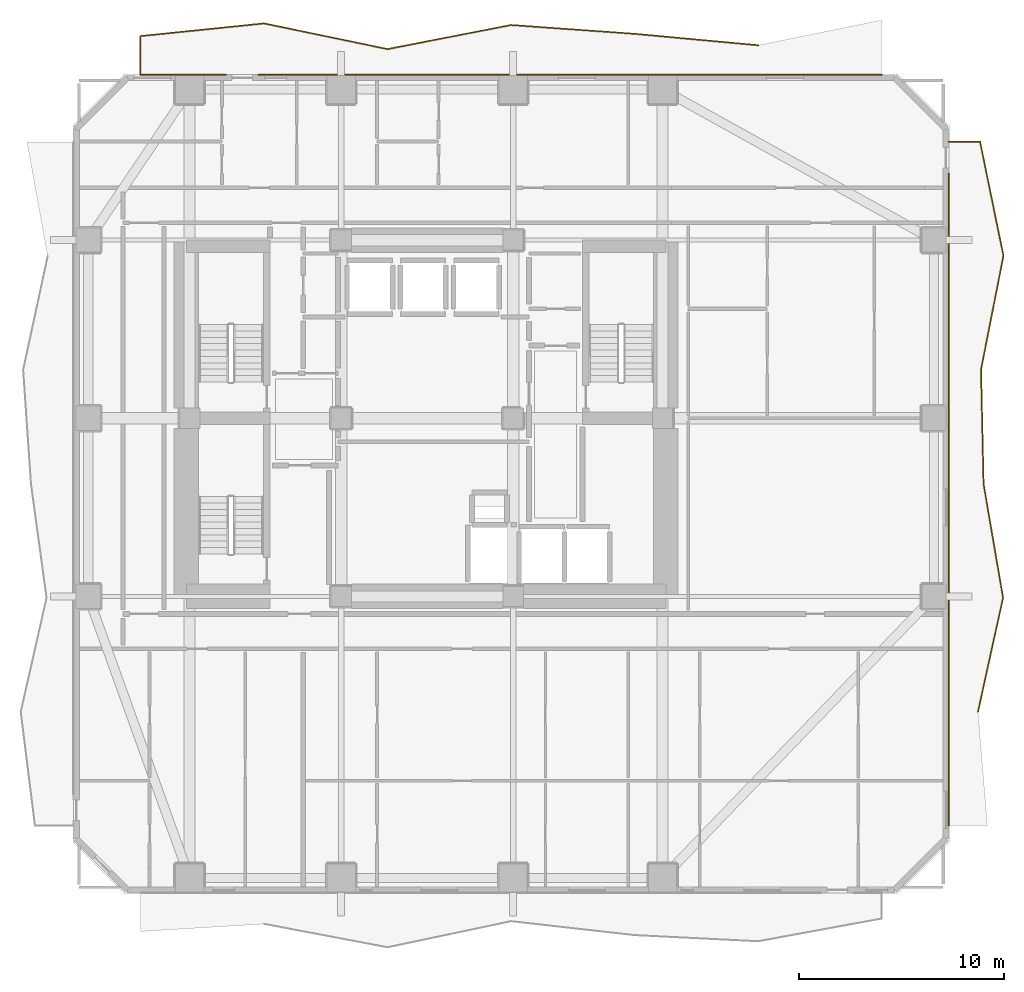
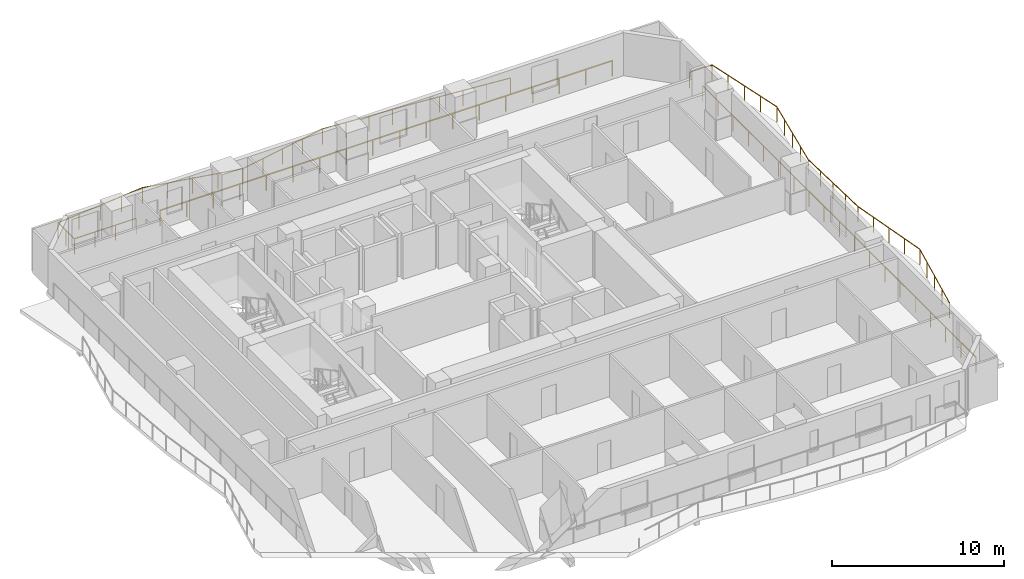
# One storey, part 10 of 10: 4 railings.
"""IFC4 building model written with IfcOpenShell, lengths in metres."""

from ifc_helpers import new_model, si_unit, direction, frame, origin, origin_2d, place, context, subcontext, project, spatial, rectangle, extrude, material, type_object, element, save


model = new_model("IFC4")

# Units and contexts
model_context = context("Model", 3, precision=1e-05, world=origin(), true_north=direction((0.0, 1.0)))
body_context = subcontext(model_context, "Body", "Model", "MODEL_VIEW")
ifc_project = project(units=[si_unit("LENGTHUNIT", "METRE"), si_unit("AREAUNIT", "SQUARE_METRE"), si_unit("VOLUMEUNIT", "CUBIC_METRE"), si_unit("PLANEANGLEUNIT", "RADIAN"), si_unit("MASSUNIT", "GRAM", prefix="KILO")], contexts=[model_context])

# Site, building, storey
site_placement = place(None, origin())
site = spatial("IfcSite", under=ifc_project, at=site_placement, CompositionType="ELEMENT")
building_placement = place(site_placement, origin())
building = spatial("IfcBuilding", under=site, at=building_placement, Name="Solanera Arch Residences", CompositionType="ELEMENT")
storey_placement = place(building_placement, frame((0.0, 0.0, 48.56005859375)))
storey = spatial("IfcBuildingStorey", under=building, at=storey_placement, Name="L13", CompositionType="ELEMENT", Elevation=48.56005859375)

# Railings
ifc_material = material(Name="Steel S355 (ASTM A992 / A572 Grade 50)", Category="steel")
railing_type = type_object("IfcRailingType", Name="Balustrade Railing BL-1100", PredefinedType="BALUSTRADE", material=ifc_material)
railing_1_placement = place(storey_placement, frame((41.1669921875, 48.9189453125, 0.0)))
element("IfcRailing", 1, at=railing_1_placement, inside=storey, type_object=railing_type, Name="L13 N Balcony Balustrade 1", PredefinedType="BALUSTRADE", context=body_context, shape_type="SweptSolid", body=[
    extrude(rectangle(XDim=0.048095703125, YDim=0.048095703125, at=origin_2d()), frame((0.0, 0.0, 1.09619140625), z_axis=(-0.995749642302, 0.092101302136, 0.0), x_axis=(-0.092101302136, -0.995749642302, 0.0)), (0.0, 0.0, 1.0), 6.0595703125),
    extrude(rectangle(XDim=0.048095703125, YDim=0.048095703125, at=origin_2d()), frame((-6.033935546875, 0.55810546875, 1.09619140625), z_axis=(-0.997458904725, 0.071244181411, 0.0), x_axis=(-0.071244181411, -0.997458904725, 0.0)), (0.0, 0.0, 1.0), 6.04833984375),
    extrude(rectangle(XDim=0.048095703125, YDim=0.048095703125, at=origin_2d()), frame((-12.06689453125, 0.989013671875, 1.09619140625), z_axis=(-0.981526810594, -0.191324645785, 0.0), x_axis=(0.191324645785, -0.981526810594, 0.0)), (0.0, 0.0, 1.0), 6.146728515625),
    extrude(rectangle(XDim=0.048095703125, YDim=0.048095703125, at=origin_2d()), frame((-18.10009765625, -0.18701171875, 1.09619140625), z_axis=(-0.979074901737, 0.20350021324, 0.0), x_axis=(-0.20350021324, -0.979074901737, 0.0)), (0.0, 0.0, 1.0), 6.162841796875),
    extrude(rectangle(XDim=0.048095703125, YDim=0.048095703125, at=origin_2d()), frame((-24.134033203125, 1.067138671875, 1.09619140625), z_axis=(-0.994758785041, -0.102249496742, 0.0), x_axis=(0.102249496742, -0.994758785041, 0.0)), (0.0, 0.0, 1.0), 6.064697265625),
    extrude(rectangle(XDim=0.048095703125, YDim=0.048095703125, at=origin_2d()), frame((-30.1669921875, 0.447021484375, 1.09619140625), z_axis=(0.0, -1.0, 0.0), x_axis=(1.0, 0.0, 0.0)), (0.0, 0.0, 1.0), 1.885986328125),
    extrude(rectangle(XDim=0.048095703125, YDim=0.048095703125, at=origin_2d()), frame((-30.1669921875, -1.43896484375, 1.09619140625), z_axis=(1.0, 0.0, 0.0), x_axis=(0.0, 1.0, 0.0)), (0.0, 0.0, 1.0), 4.16796875),
    extrude(rectangle(XDim=0.0419921875, YDim=0.0419921875, at=origin_2d()), origin(), (0.0, 0.0, 1.0), 1.072021484375),
    extrude(rectangle(XDim=0.0419921875, YDim=0.0419921875, at=origin_2d()), frame((-1.508544921875, 0.1396484375, 0.0)), (0.0, 0.0, 1.0), 1.072021484375),
    extrude(rectangle(XDim=0.0419921875, YDim=0.0419921875, at=origin_2d()), frame((-3.01708984375, 0.279052734375, 0.0)), (0.0, 0.0, 1.0), 1.072021484375),
    extrude(rectangle(XDim=0.0419921875, YDim=0.0419921875, at=origin_2d()), frame((-4.525390625, 0.41845703125, 0.0)), (0.0, 0.0, 1.0), 1.072021484375),
    extrude(rectangle(XDim=0.0419921875, YDim=0.0419921875, at=origin_2d()), frame((-6.033935546875, 0.55810546875, 0.0)), (0.0, 0.0, 1.0), 1.072021484375),
    extrude(rectangle(XDim=0.0419921875, YDim=0.0419921875, at=origin_2d()), frame((-7.542236328125, 0.665771484375, 0.0)), (0.0, 0.0, 1.0), 1.072021484375),
    extrude(rectangle(XDim=0.0419921875, YDim=0.0419921875, at=origin_2d()), frame((-9.05029296875, 0.7734375, 0.0)), (0.0, 0.0, 1.0), 1.072021484375),
    extrude(rectangle(XDim=0.0419921875, YDim=0.0419921875, at=origin_2d()), frame((-10.55859375, 0.88134765625, 0.0)), (0.0, 0.0, 1.0), 1.072021484375),
    extrude(rectangle(XDim=0.0419921875, YDim=0.0419921875, at=origin_2d()), frame((-12.06689453125, 0.989013671875, 0.0)), (0.0, 0.0, 1.0), 1.072021484375),
    extrude(rectangle(XDim=0.0419921875, YDim=0.0419921875, at=origin_2d()), frame((-13.5751953125, 0.695068359375, 0.0)), (0.0, 0.0, 1.0), 1.072021484375),
    extrude(rectangle(XDim=0.0419921875, YDim=0.0419921875, at=origin_2d()), frame((-15.08349609375, 0.40087890625, 0.0)), (0.0, 0.0, 1.0), 1.072021484375),
    extrude(rectangle(XDim=0.0419921875, YDim=0.0419921875, at=origin_2d()), frame((-16.591796875, 0.10693359375, 0.0)), (0.0, 0.0, 1.0), 1.072021484375),
    extrude(rectangle(XDim=0.0419921875, YDim=0.0419921875, at=origin_2d()), frame((-18.10009765625, -0.18701171875, 0.0)), (0.0, 0.0, 1.0), 1.072021484375),
    extrude(rectangle(XDim=0.0419921875, YDim=0.0419921875, at=origin_2d()), frame((-19.608642578125, 0.12646484375, 0.0)), (0.0, 0.0, 1.0), 1.072021484375),
    extrude(rectangle(XDim=0.0419921875, YDim=0.0419921875, at=origin_2d()), frame((-21.1171875, 0.43994140625, 0.0)), (0.0, 0.0, 1.0), 1.072021484375),
    extrude(rectangle(XDim=0.0419921875, YDim=0.0419921875, at=origin_2d()), frame((-22.62548828125, 0.753662109375, 0.0)), (0.0, 0.0, 1.0), 1.072021484375),
    extrude(rectangle(XDim=0.0419921875, YDim=0.0419921875, at=origin_2d()), frame((-24.134033203125, 1.067138671875, 0.0)), (0.0, 0.0, 1.0), 1.072021484375),
    extrude(rectangle(XDim=0.0419921875, YDim=0.0419921875, at=origin_2d()), frame((-25.642333984375, 0.912109375, 0.0)), (0.0, 0.0, 1.0), 1.072021484375),
    extrude(rectangle(XDim=0.0419921875, YDim=0.0419921875, at=origin_2d()), frame((-27.150390625, 0.757080078125, 0.0)), (0.0, 0.0, 1.0), 1.072021484375),
    extrude(rectangle(XDim=0.0419921875, YDim=0.0419921875, at=origin_2d()), frame((-28.65869140625, 0.60205078125, 0.0)), (0.0, 0.0, 1.0), 1.072021484375),
    extrude(rectangle(XDim=0.0419921875, YDim=0.0419921875, at=origin_2d()), frame((-30.1669921875, 0.447021484375, 0.0)), (0.0, 0.0, 1.0), 1.072021484375),
    extrude(rectangle(XDim=0.0419921875, YDim=0.0419921875, at=origin_2d()), frame((-30.1669921875, -0.49609375, 0.0)), (0.0, 0.0, 1.0), 1.072021484375),
    extrude(rectangle(XDim=0.0419921875, YDim=0.0419921875, at=origin_2d()), frame((-30.1669921875, -1.43896484375, 0.0)), (0.0, 0.0, 1.0), 1.072021484375),
    extrude(rectangle(XDim=0.0419921875, YDim=0.0419921875, at=origin_2d()), frame((-28.777587890625, -1.43896484375, 0.0)), (0.0, 0.0, 1.0), 1.072021484375),
    extrude(rectangle(XDim=0.0419921875, YDim=0.0419921875, at=origin_2d()), frame((-27.388427734375, -1.43896484375, 0.0)), (0.0, 0.0, 1.0), 1.072021484375),
    extrude(rectangle(XDim=0.0419921875, YDim=0.0419921875, at=origin_2d()), frame((-25.9990234375, -1.43896484375, 0.0)), (0.0, 0.0, 1.0), 1.072021484375),
])
railing_2_placement = place(storey_placement, frame((16.76806640625, 47.47998046875, 0.0)))
element("IfcRailing", 2, at=railing_2_placement, inside=storey, type_object=railing_type, Name="L13 N Balcony Balustrade 2", PredefinedType="BALUSTRADE", context=body_context, shape_type="SweptSolid", body=[
    extrude(rectangle(XDim=0.048095703125, YDim=0.048095703125, at=origin_2d()), frame((0.0, 0.0, 1.09619140625), z_axis=(1.0, 0.0, 0.0), x_axis=(0.0, 1.0, 0.0)), (0.0, 0.0, 1.0), 30.431884765625),
    extrude(rectangle(XDim=0.0419921875, YDim=0.0419921875, at=origin_2d()), origin(), (0.0, 0.0, 1.0), 1.072021484375),
    extrude(rectangle(XDim=0.0419921875, YDim=0.0419921875, at=origin_2d()), frame((1.7900390625, 0.0, 0.0)), (0.0, 0.0, 1.0), 1.072021484375),
    extrude(rectangle(XDim=0.0419921875, YDim=0.0419921875, at=origin_2d()), frame((3.580322265625, 0.0, 0.0)), (0.0, 0.0, 1.0), 1.072021484375),
    extrude(rectangle(XDim=0.0419921875, YDim=0.0419921875, at=origin_2d()), frame((5.370361328125, 0.0, 0.0)), (0.0, 0.0, 1.0), 1.072021484375),
    extrude(rectangle(XDim=0.0419921875, YDim=0.0419921875, at=origin_2d()), frame((7.160400390625, 0.0, 0.0)), (0.0, 0.0, 1.0), 1.072021484375),
    extrude(rectangle(XDim=0.0419921875, YDim=0.0419921875, at=origin_2d()), frame((8.950439453125, 0.0, 0.0)), (0.0, 0.0, 1.0), 1.072021484375),
    extrude(rectangle(XDim=0.0419921875, YDim=0.0419921875, at=origin_2d()), frame((10.74072265625, 0.0, 0.0)), (0.0, 0.0, 1.0), 1.072021484375),
    extrude(rectangle(XDim=0.0419921875, YDim=0.0419921875, at=origin_2d()), frame((12.53076171875, 0.0, 0.0)), (0.0, 0.0, 1.0), 1.072021484375),
    extrude(rectangle(XDim=0.0419921875, YDim=0.0419921875, at=origin_2d()), frame((14.32080078125, 0.0, 0.0)), (0.0, 0.0, 1.0), 1.072021484375),
    extrude(rectangle(XDim=0.0419921875, YDim=0.0419921875, at=origin_2d()), frame((16.111083984375, 0.0, 0.0)), (0.0, 0.0, 1.0), 1.072021484375),
    extrude(rectangle(XDim=0.0419921875, YDim=0.0419921875, at=origin_2d()), frame((17.901123046875, 0.0, 0.0)), (0.0, 0.0, 1.0), 1.072021484375),
    extrude(rectangle(XDim=0.0419921875, YDim=0.0419921875, at=origin_2d()), frame((19.691162109375, 0.0, 0.0)), (0.0, 0.0, 1.0), 1.072021484375),
    extrude(rectangle(XDim=0.0419921875, YDim=0.0419921875, at=origin_2d()), frame((21.4814453125, 0.0, 0.0)), (0.0, 0.0, 1.0), 1.072021484375),
    extrude(rectangle(XDim=0.0419921875, YDim=0.0419921875, at=origin_2d()), frame((23.271484375, 0.0, 0.0)), (0.0, 0.0, 1.0), 1.072021484375),
    extrude(rectangle(XDim=0.0419921875, YDim=0.0419921875, at=origin_2d()), frame((25.0615234375, 0.0, 0.0)), (0.0, 0.0, 1.0), 1.072021484375),
    extrude(rectangle(XDim=0.0419921875, YDim=0.0419921875, at=origin_2d()), frame((26.8515625, 0.0, 0.0)), (0.0, 0.0, 1.0), 1.072021484375),
    extrude(rectangle(XDim=0.0419921875, YDim=0.0419921875, at=origin_2d()), frame((28.641845703125, 0.0, 0.0)), (0.0, 0.0, 1.0), 1.072021484375),
    extrude(rectangle(XDim=0.0419921875, YDim=0.0419921875, at=origin_2d()), frame((30.431884765625, 0.0, 0.0)), (0.0, 0.0, 1.0), 1.072021484375),
])
railing_3_placement = place(storey_placement, frame((51.906005859375, 16.366943359375, 0.0)))
element("IfcRailing", 3, at=railing_3_placement, inside=storey, type_object=railing_type, Name="L13 E Balcony Balustrade 1", PredefinedType="BALUSTRADE", context=body_context, shape_type="SweptSolid", body=[
    extrude(rectangle(XDim=0.048095703125, YDim=0.048095703125, at=origin_2d()), frame((0.0, 0.0, 1.09619140625), z_axis=(0.21474818874, 0.976669450445, 0.0), x_axis=(-0.976669450445, 0.21474818874, 0.0)), (0.0, 0.0, 1.0), 5.69921875),
    extrude(rectangle(XDim=0.048095703125, YDim=0.048095703125, at=origin_2d()), frame((1.223876953125, 5.566162109375, 1.09619140625), z_axis=(-0.168715450915, 0.985664799322, 0.0), x_axis=(-0.985664799322, -0.168715450915, 0.0)), (0.0, 0.0, 1.0), 5.64794921875),
    extrude(rectangle(XDim=0.048095703125, YDim=0.048095703125, at=origin_2d()), frame((0.27099609375, 11.133056640625, 1.09619140625), z_axis=(-0.02227322059, 0.999751921051, 0.0), x_axis=(-0.999751921051, -0.02227322059, 0.0)), (0.0, 0.0, 1.0), 5.568359375),
    extrude(rectangle(XDim=0.048095703125, YDim=0.048095703125, at=origin_2d()), frame((0.14697265625, 16.699951171875, 1.09619140625), z_axis=(0.193185547705, 0.981162241506, 0.0), x_axis=(-0.981162241506, 0.193185547705, 0.0)), (0.0, 0.0, 1.0), 5.673095703125),
    extrude(rectangle(XDim=0.048095703125, YDim=0.048095703125, at=origin_2d()), frame((1.242919921875, 22.26611328125, 1.09619140625), z_axis=(-0.200765485321, 0.979639331542, 0.0), x_axis=(-0.979639331542, -0.200765485321, 0.0)), (0.0, 0.0, 1.0), 5.6826171875),
    extrude(rectangle(XDim=0.048095703125, YDim=0.048095703125, at=origin_2d()), frame((0.10205078125, 27.8330078125, 1.09619140625), z_axis=(-1.0, 0.0, 0.0), x_axis=(0.0, -1.0, 0.0)), (0.0, 0.0, 1.0), 1.528076171875),
    extrude(rectangle(XDim=0.0419921875, YDim=0.0419921875, at=origin_2d()), origin(), (0.0, 0.0, 1.0), 1.072021484375),
    extrude(rectangle(XDim=0.0419921875, YDim=0.0419921875, at=origin_2d()), frame((0.305908203125, 1.3916015625, 0.0)), (0.0, 0.0, 1.0), 1.072021484375),
    extrude(rectangle(XDim=0.0419921875, YDim=0.0419921875, at=origin_2d()), frame((0.61181640625, 2.783203125, 0.0)), (0.0, 0.0, 1.0), 1.072021484375),
    extrude(rectangle(XDim=0.0419921875, YDim=0.0419921875, at=origin_2d()), frame((0.91796875, 4.174560546875, 0.0)), (0.0, 0.0, 1.0), 1.072021484375),
    extrude(rectangle(XDim=0.0419921875, YDim=0.0419921875, at=origin_2d()), frame((1.223876953125, 5.566162109375, 0.0)), (0.0, 0.0, 1.0), 1.072021484375),
    extrude(rectangle(XDim=0.0419921875, YDim=0.0419921875, at=origin_2d()), frame((0.985595703125, 6.9580078125, 0.0)), (0.0, 0.0, 1.0), 1.072021484375),
    extrude(rectangle(XDim=0.0419921875, YDim=0.0419921875, at=origin_2d()), frame((0.74755859375, 8.349609375, 0.0)), (0.0, 0.0, 1.0), 1.072021484375),
    extrude(rectangle(XDim=0.0419921875, YDim=0.0419921875, at=origin_2d()), frame((0.50927734375, 9.7412109375, 0.0)), (0.0, 0.0, 1.0), 1.072021484375),
    extrude(rectangle(XDim=0.0419921875, YDim=0.0419921875, at=origin_2d()), frame((0.27099609375, 11.133056640625, 0.0)), (0.0, 0.0, 1.0), 1.072021484375),
    extrude(rectangle(XDim=0.0419921875, YDim=0.0419921875, at=origin_2d()), frame((0.239990234375, 12.52490234375, 0.0)), (0.0, 0.0, 1.0), 1.072021484375),
    extrude(rectangle(XDim=0.0419921875, YDim=0.0419921875, at=origin_2d()), frame((0.208984375, 13.91650390625, 0.0)), (0.0, 0.0, 1.0), 1.072021484375),
    extrude(rectangle(XDim=0.0419921875, YDim=0.0419921875, at=origin_2d()), frame((0.177978515625, 15.30810546875, 0.0)), (0.0, 0.0, 1.0), 1.072021484375),
    extrude(rectangle(XDim=0.0419921875, YDim=0.0419921875, at=origin_2d()), frame((0.14697265625, 16.699951171875, 0.0)), (0.0, 0.0, 1.0), 1.072021484375),
    extrude(rectangle(XDim=0.0419921875, YDim=0.0419921875, at=origin_2d()), frame((0.4208984375, 18.091552734375, 0.0)), (0.0, 0.0, 1.0), 1.072021484375),
    extrude(rectangle(XDim=0.0419921875, YDim=0.0419921875, at=origin_2d()), frame((0.69482421875, 19.48291015625, 0.0)), (0.0, 0.0, 1.0), 1.072021484375),
    extrude(rectangle(XDim=0.0419921875, YDim=0.0419921875, at=origin_2d()), frame((0.968994140625, 20.87451171875, 0.0)), (0.0, 0.0, 1.0), 1.072021484375),
    extrude(rectangle(XDim=0.0419921875, YDim=0.0419921875, at=origin_2d()), frame((1.242919921875, 22.26611328125, 0.0)), (0.0, 0.0, 1.0), 1.072021484375),
    extrude(rectangle(XDim=0.0419921875, YDim=0.0419921875, at=origin_2d()), frame((0.957763671875, 23.65771484375, 0.0)), (0.0, 0.0, 1.0), 1.072021484375),
    extrude(rectangle(XDim=0.0419921875, YDim=0.0419921875, at=origin_2d()), frame((0.67236328125, 25.049560546875, 0.0)), (0.0, 0.0, 1.0), 1.072021484375),
    extrude(rectangle(XDim=0.0419921875, YDim=0.0419921875, at=origin_2d()), frame((0.38720703125, 26.44140625, 0.0)), (0.0, 0.0, 1.0), 1.072021484375),
    extrude(rectangle(XDim=0.0419921875, YDim=0.0419921875, at=origin_2d()), frame((0.10205078125, 27.8330078125, 0.0)), (0.0, 0.0, 1.0), 1.072021484375),
    extrude(rectangle(XDim=0.0419921875, YDim=0.0419921875, at=origin_2d()), frame((-1.426025390625, 27.8330078125, 0.0)), (0.0, 0.0, 1.0), 1.072021484375),
])
railing_4_placement = place(storey_placement, frame((50.47998046875, 42.634033203125, 0.0)))
element("IfcRailing", 4, at=railing_4_placement, inside=storey, type_object=railing_type, Name="L13 E Balcony Balustrade 2", PredefinedType="BALUSTRADE", context=body_context, shape_type="SweptSolid", body=[
    extrude(rectangle(XDim=0.048095703125, YDim=0.048095703125, at=origin_2d()), frame((0.0, 0.0, 1.09619140625), z_axis=(0.0, -1.0, 0.0), x_axis=(1.0, 0.0, 0.0)), (0.0, 0.0, 1.0), 31.833984375),
    extrude(rectangle(XDim=0.0419921875, YDim=0.0419921875, at=origin_2d()), origin(), (0.0, 0.0, 1.0), 1.072021484375),
    extrude(rectangle(XDim=0.0419921875, YDim=0.0419921875, at=origin_2d()), frame((0.0, -1.7685546875, 0.0)), (0.0, 0.0, 1.0), 1.072021484375),
    extrude(rectangle(XDim=0.0419921875, YDim=0.0419921875, at=origin_2d()), frame((0.0, -3.537109375, 0.0)), (0.0, 0.0, 1.0), 1.072021484375),
    extrude(rectangle(XDim=0.0419921875, YDim=0.0419921875, at=origin_2d()), frame((0.0, -5.3056640625, 0.0)), (0.0, 0.0, 1.0), 1.072021484375),
    extrude(rectangle(XDim=0.0419921875, YDim=0.0419921875, at=origin_2d()), frame((0.0, -7.07421875, 0.0)), (0.0, 0.0, 1.0), 1.072021484375),
    extrude(rectangle(XDim=0.0419921875, YDim=0.0419921875, at=origin_2d()), frame((0.0, -8.8427734375, 0.0)), (0.0, 0.0, 1.0), 1.072021484375),
    extrude(rectangle(XDim=0.0419921875, YDim=0.0419921875, at=origin_2d()), frame((0.0, -10.611328125, 0.0)), (0.0, 0.0, 1.0), 1.072021484375),
    extrude(rectangle(XDim=0.0419921875, YDim=0.0419921875, at=origin_2d()), frame((0.0, -12.3798828125, 0.0)), (0.0, 0.0, 1.0), 1.072021484375),
    extrude(rectangle(XDim=0.0419921875, YDim=0.0419921875, at=origin_2d()), frame((0.0, -14.1484375, 0.0)), (0.0, 0.0, 1.0), 1.072021484375),
    extrude(rectangle(XDim=0.0419921875, YDim=0.0419921875, at=origin_2d()), frame((0.0, -15.9169921875, 0.0)), (0.0, 0.0, 1.0), 1.072021484375),
    extrude(rectangle(XDim=0.0419921875, YDim=0.0419921875, at=origin_2d()), frame((0.0, -17.685546875, 0.0)), (0.0, 0.0, 1.0), 1.072021484375),
    extrude(rectangle(XDim=0.0419921875, YDim=0.0419921875, at=origin_2d()), frame((0.0, -19.4541015625, 0.0)), (0.0, 0.0, 1.0), 1.072021484375),
    extrude(rectangle(XDim=0.0419921875, YDim=0.0419921875, at=origin_2d()), frame((0.0, -21.22265625, 0.0)), (0.0, 0.0, 1.0), 1.072021484375),
    extrude(rectangle(XDim=0.0419921875, YDim=0.0419921875, at=origin_2d()), frame((0.0, -22.9912109375, 0.0)), (0.0, 0.0, 1.0), 1.072021484375),
    extrude(rectangle(XDim=0.0419921875, YDim=0.0419921875, at=origin_2d()), frame((0.0, -24.759765625, 0.0)), (0.0, 0.0, 1.0), 1.072021484375),
    extrude(rectangle(XDim=0.0419921875, YDim=0.0419921875, at=origin_2d()), frame((0.0, -26.5283203125, 0.0)), (0.0, 0.0, 1.0), 1.072021484375),
    extrude(rectangle(XDim=0.0419921875, YDim=0.0419921875, at=origin_2d()), frame((0.0, -28.296875, 0.0)), (0.0, 0.0, 1.0), 1.072021484375),
    extrude(rectangle(XDim=0.0419921875, YDim=0.0419921875, at=origin_2d()), frame((0.0, -30.0654296875, 0.0)), (0.0, 0.0, 1.0), 1.072021484375),
    extrude(rectangle(XDim=0.0419921875, YDim=0.0419921875, at=origin_2d()), frame((0.0, -31.833984375, 0.0)), (0.0, 0.0, 1.0), 1.072021484375),
])

save(model, "model.ifc")
